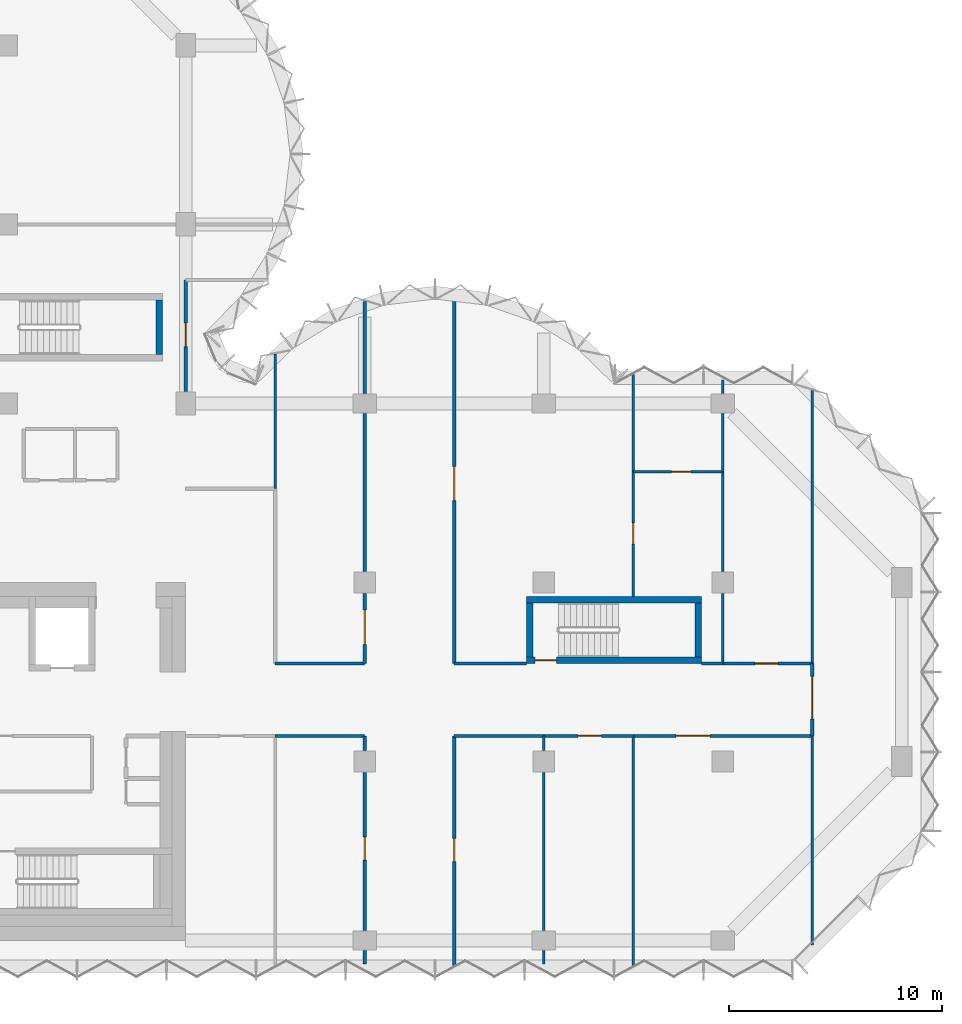
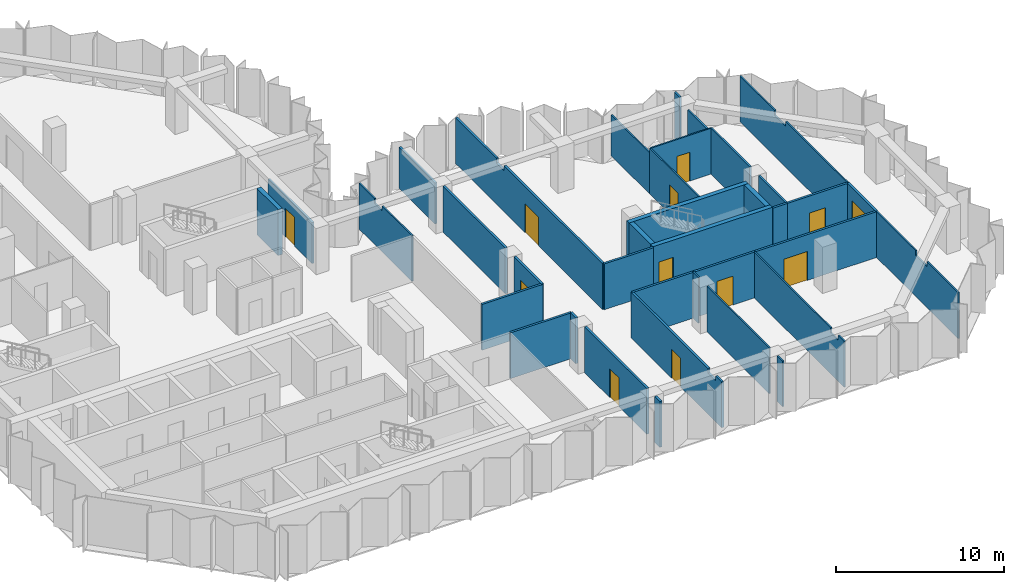
# One storey, part 7 of 10: 37 walls, 12 doors, 12 openings.
"""IFC4 building model written with IfcOpenShell, lengths in metres."""

from ifc_helpers import new_model, si_unit, direction, frame, frame_2d, origin, place, context, subcontext, project, spatial, polyline, rectangle, outline, extrude, material, layer, layer_set, type_object, element, fill, save


model = new_model("IFC4")

# Units and contexts
model_context = context("Model", 3, precision=1e-05, world=origin(), true_north=direction((0.0, 1.0)))
body_context = subcontext(model_context, "Body", "Model", "MODEL_VIEW")
ifc_project = project(units=[si_unit("LENGTHUNIT", "METRE"), si_unit("AREAUNIT", "SQUARE_METRE"), si_unit("VOLUMEUNIT", "CUBIC_METRE"), si_unit("PLANEANGLEUNIT", "RADIAN"), si_unit("MASSUNIT", "GRAM", prefix="KILO")], contexts=[model_context])

# Site, building, storey
site_placement = place(None, origin())
site = spatial("IfcSite", under=ifc_project, at=site_placement, CompositionType="ELEMENT")
building_placement = place(site_placement, origin())
building = spatial("IfcBuilding", under=site, at=building_placement, Name="Brevane Broadcast Tower", CompositionType="ELEMENT")
storey_placement = place(building_placement, frame((0.0, 0.0, 174.0)))
storey = spatial("IfcBuildingStorey", under=building, at=storey_placement, Name="L43", CompositionType="ELEMENT", Elevation=174.0)

# Wall
ifc_material_1 = material(Name="Concrete C60/75", Category="concrete")
ifc_layer_1 = layer(ifc_material_1, 0.300048828125)
ifc_layer_set_1 = layer_set([ifc_layer_1], Name="Core wall 300 mm C60/75")
wall_type_1 = type_object("IfcWallType", Name="Core wall 300 mm C60/75", PredefinedType="SHEAR", material=ifc_layer_set_1)
wall_1_placement = place(storey_placement, frame((23.949951171875, 27.5, 0.0), z_axis=(0.0, 0.0, 1.0), x_axis=(0.0, 1.0, 0.0)))
element("IfcWall", 1, at=wall_1_placement, inside=storey, type_object=wall_type_1, Name="L43 stair wall ST-3-E", PredefinedType="SHEAR", context=body_context, shape_type="SweptSolid", body=[
    extrude(rectangle(XDim=2.550048828125, YDim=0.300048828125, at=frame_2d((1.27490234375, 0.0))), origin(), (0.0, 0.0, 1.0), 3.35009765625),
])

# Wall, opening, door
wall_2_placement = place(storey_placement, frame((49.39990234375, 13.14990234375, 0.0), z_axis=(0.0, 0.0, 1.0), x_axis=(-1.0, 0.0, 0.0)))
wall_2 = element("IfcWall", 2, at=wall_2_placement, inside=storey, type_object=wall_type_1, Name="L43 stair wall ST-4-S", PredefinedType="SHEAR", context=body_context, shape_type="SweptSolid", body=[
    extrude(rectangle(XDim=8.199951171875, YDim=0.300048828125, at=frame_2d((4.10009765625, 0.0))), origin(), (0.0, 0.0, 1.0), 3.35009765625),
])
opening_1_placement = place(wall_2_placement, frame((6.800048828125, 0.0, 0.0)))
opening_1 = element("IfcOpeningElement", 3, at=opening_1_placement, cuts=wall_2, Name="Opening L43-K13", PredefinedType="OPENING", context=body_context, shape_type="SweptSolid", body=[
    extrude(rectangle(XDim=1.0, YDim=2.10009765625, at=frame_2d((0.5, 1.050048828125))), frame((0.0, 0.159912109375, 0.0), z_axis=(0.0, -1.0, 0.0), x_axis=(1.0, 0.0, 0.0)), (0.0, 0.0, 1.0), 0.320068359375),
])
ifc_material_2 = material(Name="Steel", Category="steel")
door_type_1 = type_object("IfcDoorType", Name="Stair door 1000 x 2100", OperationType="SINGLE_SWING_LEFT", PredefinedType="DOOR", material=ifc_material_2)
door_1_placement = place(opening_1_placement, origin())
door_1 = element("IfcDoor", 4, at=door_1_placement, inside=storey, type_object=door_type_1, Name="Door L43-K13", OperationType="SINGLE_SWING_LEFT", OverallHeight=2.10009765625, OverallWidth=1.0, PredefinedType="DOOR", context=body_context, shape_type="SweptSolid", body=[
    extrude(rectangle(XDim=1.0, YDim=2.10009765625, at=frame_2d((0.5, 1.050048828125))), frame((0.0, 0.02490234375, 0.0), z_axis=(0.0, -1.0, 0.0), x_axis=(1.0, 0.0, 0.0)), (0.0, 0.0, 1.0), 0.050048828125),
])
fill(opening_1, door_1)

# Walls
wall_3_placement = place(storey_placement, frame((41.199951171875, 16.0, 0.0), z_axis=(0.0, 0.0, 1.0), x_axis=(1.0, 0.0, 0.0)))
element("IfcWall", 5, at=wall_3_placement, inside=storey, type_object=wall_type_1, Name="L43 stair wall ST-4-N", PredefinedType="SHEAR", context=body_context, shape_type="SweptSolid", body=[
    extrude(rectangle(XDim=8.199951171875, YDim=0.300048828125, at=frame_2d((4.10009765625, 0.0))), origin(), (0.0, 0.0, 1.0), 3.35009765625),
])
for number, where, z_axis, x_axis, name in (
    (6, (41.35009765625, 13.300048828125, 0.0), (0.0, 0.0, 1.0), (0.0, 1.0, 0.0), "L43 stair wall ST-4-W"),
    (7, (49.25, 13.300048828125, 0.0), (0.0, 0.0, 1.0), (0.0, 1.0, 0.0), "L43 stair wall ST-4-E"),
):
    element("IfcWall", number, at=place(storey_placement, frame(where, z_axis=z_axis, x_axis=x_axis)), inside=storey, type_object=wall_type_1, Name=name, PredefinedType="SHEAR", context=body_context, shape_type="SweptSolid", body=[
        extrude(rectangle(XDim=2.550048828125, YDim=0.300048828125, at=frame_2d((1.27490234375, 0.0))), origin(), (0.0, 0.0, 1.0), 3.35009765625),
    ])
ifc_material_3 = material(Name="Gypsum board partition")
ifc_layer_2 = layer(ifc_material_3, 0.10009765625)
ifc_layer_set_2 = layer_set([ifc_layer_2], Name="PARTITION 100 STUD")
wall_type_2 = type_object("IfcWallType", Name="PARTITION 100 STUD", PredefinedType="PARTITIONING", material=ifc_layer_set_2)
wall_4_placement = place(storey_placement, frame((29.39990234375, 27.510986328125, 0.0), z_axis=(0.0, 0.0, 1.0), x_axis=(0.0, -1.0, 0.0)))
element("IfcWall", 8, at=wall_4_placement, inside=storey, type_object=wall_type_2, Name="Partition G12-004", PredefinedType="PARTITIONING", context=body_context, shape_type="SweptSolid", body=[
    extrude(outline(polyline([(0.0, 0.0), (6.31103515625, 0.0), (6.31103515625, 3.330078125), (2.760986328125, 3.330078125), (2.759033203125, 2.97998046875), (1.863037109375, 2.97998046875), (1.861083984375, 3.330078125), (0.236083984375, 3.330078125), (0.0, 3.330078125), (0.0, 0.0)])), frame((0.0, 0.050048828125, 0.0), z_axis=(0.0, -1.0, 0.0), x_axis=(1.0, 0.0, 0.0)), (0.0, 0.0, 1.0), 0.10009765625),
])
wall_5_placement = place(storey_placement, frame((54.60009765625, -0.199951171875, 0.0), z_axis=(0.0, 0.0, 1.0), x_axis=(0.0, 1.0, 0.0)))
element("IfcWall", 9, at=wall_5_placement, inside=storey, type_object=wall_type_2, Name="Partition G12-016", PredefinedType="PARTITIONING", context=body_context, shape_type="SweptSolid", body=[
    extrude(outline(polyline([(0.0, 0.0), (9.800048828125, 0.0), (9.800048828125, 3.330078125), (5.065673828125, 3.330078125), (5.063720703125, 2.97998046875), (3.736328125, 2.97998046875), (3.734375, 3.330078125), (0.0, 3.330078125), (0.0, 0.0)])), frame((0.0, 0.050048828125, 0.0), z_axis=(0.0, -1.0, 0.0), x_axis=(1.0, 0.0, 0.0)), (0.0, 0.0, 1.0), 0.10009765625),
])
wall_6_placement = place(storey_placement, frame((54.60009765625, 13.0, 0.0), z_axis=(0.0, 0.0, 1.0), x_axis=(0.0, 1.0, 0.0)))
element("IfcWall", 10, at=wall_6_placement, inside=storey, type_object=wall_type_2, Name="Partition G12-017", PredefinedType="PARTITIONING", context=body_context, shape_type="SweptSolid", body=[
    extrude(outline(polyline([(0.0, 0.0), (12.805419921875, 0.0), (12.805419921875, 3.330078125), (12.39990234375, 3.330078125), (8.665771484375, 3.330078125), (8.66357421875, 2.97998046875), (7.33642578125, 2.97998046875), (7.334228515625, 3.330078125), (0.0, 3.330078125), (0.0, 0.0)])), frame((0.0, 0.050048828125, 0.0), z_axis=(0.0, -1.0, 0.0), x_axis=(1.0, 0.0, 0.0)), (0.0, 0.0, 1.0), 0.10009765625),
])
wall_7_placement = place(storey_placement, frame((42.0, 9.60009765625, 0.0), z_axis=(0.0, 0.0, 1.0), x_axis=(0.0, -1.0, 0.0)))
element("IfcWall", 11, at=wall_7_placement, inside=storey, type_object=wall_type_2, Name="Partition G12-023", PredefinedType="PARTITIONING", context=body_context, shape_type="SweptSolid", body=[
    extrude(rectangle(XDim=0.68017578125, YDim=0.10009765625, at=frame_2d((0.340087890625, 0.0))), origin(), (0.0, 0.0, 1.0), 3.330078125),
])
wall_8_placement = place(storey_placement, frame((42.0, 7.8798828125, 0.0), z_axis=(0.0, 0.0, 1.0), x_axis=(0.0, -1.0, 0.0)))
element("IfcWall", 12, at=wall_8_placement, inside=storey, type_object=wall_type_2, Name="Partition G12-024", PredefinedType="PARTITIONING", context=body_context, shape_type="SweptSolid", body=[
    extrude(rectangle(XDim=7.409912109375, YDim=0.10009765625, at=frame_2d((3.705078125, 0.0))), origin(), (0.0, 0.0, 1.0), 3.330078125),
])
wall_9_placement = place(storey_placement, frame((42.0, -0.469970703125, 0.0), z_axis=(0.0, 0.0, 1.0), x_axis=(0.0, -1.0, 0.0)))
element("IfcWall", 13, at=wall_9_placement, inside=storey, type_object=wall_type_2, Name="Partition G12-025", PredefinedType="PARTITIONING", context=body_context, shape_type="SweptSolid", body=[
    extrude(rectangle(XDim=0.630126953125, YDim=0.10009765625, at=frame_2d((0.31494140625, 0.0))), origin(), (0.0, 0.0, 1.0), 3.330078125),
])
wall_10_placement = place(storey_placement, frame((46.199951171875, 9.60009765625, 0.0), z_axis=(0.0, 0.0, 1.0), x_axis=(0.0, -1.0, 0.0)))
element("IfcWall", 14, at=wall_10_placement, inside=storey, type_object=wall_type_2, Name="Partition G12-026", PredefinedType="PARTITIONING", context=body_context, shape_type="SweptSolid", body=[
    extrude(outline(polyline([(0.0, 0.0), (10.774169921875, 0.0), (10.77392578125, 3.330078125), (10.699951171875, 3.330078125), (10.050048828125, 3.330078125), (10.048095703125, 2.97998046875), (9.152099609375, 2.97998046875), (9.14990234375, 3.330078125), (0.0, 3.330078125), (0.0, 0.0)])), frame((0.0, 0.050048828125, 0.0), z_axis=(0.0, -1.0, 0.0), x_axis=(1.0, 0.0, 0.0)), (0.0, 0.0, 1.0), 0.10009765625),
])

# Wall, opening, door
wall_11_placement = place(storey_placement, frame((46.199951171875, 22.0, 0.0), z_axis=(0.0, 0.0, 1.0), x_axis=(0.0, -1.0, 0.0)))
wall_11 = element("IfcWall", 15, at=wall_11_placement, inside=storey, type_object=wall_type_2, Name="Partition G12-031", PredefinedType="PARTITIONING", context=body_context, shape_type="SweptSolid", body=[
    extrude(rectangle(XDim=5.85009765625, YDim=0.10009765625, at=frame_2d((2.925048828125, 0.0))), origin(), (0.0, 0.0, 1.0), 3.330078125),
])
opening_2_placement = place(wall_11_placement, frame((2.39990234375, 0.0, 0.0)))
opening_2 = element("IfcOpeningElement", 16, at=opening_2_placement, cuts=wall_11, Name="Opening D21-010", PredefinedType="OPENING", context=body_context, shape_type="SweptSolid", body=[
    extrude(rectangle(XDim=1.0, YDim=2.10009765625, at=frame_2d((0.5, 1.050048828125))), frame((0.0, 0.06005859375, 0.0), z_axis=(0.0, -1.0, 0.0), x_axis=(1.0, 0.0, 0.0)), (0.0, 0.0, 1.0), 0.1201171875),
])
ifc_material_4 = material(Name="Timber door leaf", Category="wood")
door_type_2 = type_object("IfcDoorType", Name="DOOR SINGLE 1000 INTERNAL", OperationType="SINGLE_SWING_LEFT", PredefinedType="DOOR", material=ifc_material_4)
door_2_placement = place(opening_2_placement, origin())
door_2 = element("IfcDoor", 17, at=door_2_placement, inside=storey, type_object=door_type_2, Name="Door D21-010", OperationType="SINGLE_SWING_LEFT", OverallHeight=2.10009765625, OverallWidth=1.0, PredefinedType="DOOR", context=body_context, shape_type="SweptSolid", body=[
    extrude(rectangle(XDim=1.0, YDim=2.10009765625, at=frame_2d((0.5, 1.050048828125))), frame((0.0, 0.02490234375, 0.0), z_axis=(0.0, -1.0, 0.0), x_axis=(1.0, 0.0, 0.0)), (0.0, 0.0, 1.0), 0.050048828125),
])
fill(opening_2, door_2)

# Wall
wall_12_placement = place(storey_placement, frame((46.199951171875, 26.56494140625, 0.0), z_axis=(0.0, 0.0, 1.0), x_axis=(0.0, -1.0, 0.0)))
element("IfcWall", 18, at=wall_12_placement, inside=storey, type_object=wall_type_2, Name="Partition G12-032", PredefinedType="PARTITIONING", context=body_context, shape_type="SweptSolid", body=[
    extrude(rectangle(XDim=4.56494140625, YDim=0.10009765625, at=frame_2d((2.282470703125, 0.0))), origin(), (0.0, 0.0, 1.0), 2.97998046875),
])

# Wall, opening, door
wall_13_placement = place(storey_placement, frame((46.199951171875, 22.0, 0.0), z_axis=(0.0, 0.0, 1.0), x_axis=(1.0, 0.0, 0.0)))
wall_13 = element("IfcWall", 19, at=wall_13_placement, inside=storey, type_object=wall_type_2, Name="Partition G12-033", PredefinedType="PARTITIONING", context=body_context, shape_type="SweptSolid", body=[
    extrude(rectangle(XDim=4.199951171875, YDim=0.10009765625, at=frame_2d((2.10009765625, 0.0))), origin(), (0.0, 0.0, 1.0), 3.330078125),
])
opening_3_placement = place(wall_13_placement, frame((1.800048828125, 0.0, 0.0)))
opening_3 = element("IfcOpeningElement", 20, at=opening_3_placement, cuts=wall_13, Name="Opening D21-011", PredefinedType="OPENING", context=body_context, shape_type="SweptSolid", body=[
    extrude(rectangle(XDim=0.89990234375, YDim=2.10009765625, at=frame_2d((0.449951171875, 1.050048828125))), frame((0.0, 0.06005859375, 0.0), z_axis=(0.0, -1.0, 0.0), x_axis=(1.0, 0.0, 0.0)), (0.0, 0.0, 1.0), 0.1201171875),
])
door_type_3 = type_object("IfcDoorType", Name="DOOR SINGLE 900 INTERNAL", OperationType="SINGLE_SWING_LEFT", PredefinedType="DOOR", material=ifc_material_4)
door_3_placement = place(opening_3_placement, origin())
door_3 = element("IfcDoor", 21, at=door_3_placement, inside=storey, type_object=door_type_3, Name="Door D21-011", OperationType="SINGLE_SWING_LEFT", OverallHeight=2.10009765625, OverallWidth=0.89990234375, PredefinedType="DOOR", context=body_context, shape_type="SweptSolid", body=[
    extrude(rectangle(XDim=0.89990234375, YDim=2.10009765625, at=frame_2d((0.449951171875, 1.050048828125))), frame((0.0, 0.02490234375, 0.0), z_axis=(0.0, -1.0, 0.0), x_axis=(1.0, 0.0, 0.0)), (0.0, 0.0, 1.0), 0.050048828125),
])
fill(opening_3, door_3)

# Walls
ifc_layer_3 = layer(ifc_material_3, 0.125)
ifc_layer_set_3 = layer_set([ifc_layer_3], Name="PARTITION 125 ACOUSTIC")
wall_type_3 = type_object("IfcWallType", Name="PARTITION 125 ACOUSTIC", PredefinedType="PARTITIONING", material=ifc_layer_set_3)
wall_14_placement = place(storey_placement, frame((50.39990234375, 22.0, 0.0), z_axis=(0.0, 0.0, 1.0), x_axis=(0.0, -1.0, 0.0)))
element("IfcWall", 22, at=wall_14_placement, inside=storey, type_object=wall_type_3, Name="Partition G12-034", PredefinedType="PARTITIONING", context=body_context, shape_type="SweptSolid", body=[
    extrude(rectangle(XDim=4.679931640625, YDim=0.125, at=frame_2d((2.33984375, 0.0))), origin(), (0.0, 0.0, 1.0), 3.330078125),
])
wall_15_placement = place(storey_placement, frame((50.39990234375, 16.280029296875, 0.0), z_axis=(0.0, 0.0, 1.0), x_axis=(0.0, -1.0, 0.0)))
element("IfcWall", 23, at=wall_15_placement, inside=storey, type_object=wall_type_3, Name="Partition G12-035", PredefinedType="PARTITIONING", context=body_context, shape_type="SweptSolid", body=[
    extrude(rectangle(XDim=3.280029296875, YDim=0.125, at=frame_2d((1.64013671875, 0.0))), origin(), (0.0, 0.0, 1.0), 3.330078125),
])
wall_16_placement = place(storey_placement, frame((50.39990234375, 26.300048828125, 0.0), z_axis=(0.0, 0.0, 1.0), x_axis=(0.0, -1.0, 0.0)))
element("IfcWall", 24, at=wall_16_placement, inside=storey, type_object=wall_type_3, Name="Partition G12-036", PredefinedType="PARTITIONING", context=body_context, shape_type="SweptSolid", body=[
    extrude(rectangle(XDim=0.630126953125, YDim=0.125, at=frame_2d((0.31494140625, 0.0))), origin(), (0.0, 0.0, 1.0), 3.330078125),
])
wall_17_placement = place(storey_placement, frame((50.39990234375, 24.72998046875, 0.0), z_axis=(0.0, 0.0, 1.0), x_axis=(0.0, -1.0, 0.0)))
element("IfcWall", 25, at=wall_17_placement, inside=storey, type_object=wall_type_3, Name="Partition G12-037", PredefinedType="PARTITIONING", context=body_context, shape_type="SweptSolid", body=[
    extrude(rectangle(XDim=2.72998046875, YDim=0.125, at=frame_2d((1.364990234375, 0.0))), origin(), (0.0, 0.0, 1.0), 2.97998046875),
])

# Wall, opening, door
ifc_layer_4 = layer(ifc_material_3, 0.14990234375)
ifc_layer_set_4 = layer_set([ifc_layer_4], Name="PARTITION 150 EI 60")
wall_type_4 = type_object("IfcWallType", Name="PARTITION 150 EI 60", PredefinedType="PARTITIONING", material=ifc_layer_set_4)
wall_18_placement = place(storey_placement, frame((25.199951171875, 31.0, 0.0), z_axis=(0.0, 0.0, 1.0), x_axis=(0.0, -1.0, 0.0)))
wall_18 = element("IfcWall", 26, at=wall_18_placement, inside=storey, type_object=wall_type_4, Name="Partition G12-005", PredefinedType="PARTITIONING", context=body_context, shape_type="SweptSolid", body=[
    extrude(outline(polyline([(0.0, 0.0), (5.22998046875, 0.0), (5.22998046875, 2.97998046875), (0.0, 2.97998046875), (0.0, 0.0)])), frame((0.0, 0.074951171875, 0.0), z_axis=(0.0, -1.0, 0.0), x_axis=(1.0, 0.0, 0.0)), (0.0, 0.0, 1.0), 0.14990234375),
])
opening_4_placement = place(wall_18_placement, frame((2.030029296875, 0.0, 0.0)))
opening_4 = element("IfcOpeningElement", 27, at=opening_4_placement, cuts=wall_18, Name="Opening D21-001", PredefinedType="OPENING", context=body_context, shape_type="SweptSolid", body=[
    extrude(rectangle(XDim=1.10009765625, YDim=2.10009765625, at=frame_2d((0.550048828125, 1.050048828125))), frame((0.0, 0.0849609375, 0.0), z_axis=(0.0, -1.0, 0.0), x_axis=(1.0, 0.0, 0.0)), (0.0, 0.0, 1.0), 0.169921875),
])
ifc_material_5 = material(Name="Fire-rated timber door leaf", Category="wood")
door_type_4 = type_object("IfcDoorType", Name="DOOR SINGLE 1100 FD30S", OperationType="SINGLE_SWING_LEFT", PredefinedType="DOOR", material=ifc_material_5)
door_4_placement = place(opening_4_placement, origin())
door_4 = element("IfcDoor", 28, at=door_4_placement, inside=storey, type_object=door_type_4, Name="Door D21-001", OperationType="SINGLE_SWING_RIGHT", OverallHeight=2.10009765625, OverallWidth=1.10009765625, PredefinedType="DOOR", context=body_context, shape_type="SweptSolid", body=[
    extrude(rectangle(XDim=1.10009765625, YDim=2.10009765625, at=frame_2d((0.550048828125, 1.050048828125))), frame((0.0, 0.02490234375, 0.0), z_axis=(0.0, -1.0, 0.0), x_axis=(1.0, 0.0, 0.0)), (0.0, 0.0, 1.0), 0.050048828125),
])
fill(opening_4, door_4)

wall_19_placement = place(storey_placement, frame((54.60009765625, 13.0, 0.0), z_axis=(0.0, 0.0, 1.0), x_axis=(0.0, -1.0, 0.0)))
wall_19 = element("IfcWall", 29, at=wall_19_placement, inside=storey, type_object=wall_type_4, Name="Partition G12-007", PredefinedType="PARTITIONING", context=body_context, shape_type="SweptSolid", body=[
    extrude(rectangle(XDim=3.39990234375, YDim=0.14990234375, at=frame_2d((1.699951171875, 0.0))), origin(), (0.0, 0.0, 1.0), 3.330078125),
])
opening_5_placement = place(wall_19_placement, frame((0.60009765625, 0.0, 0.0)))
opening_5 = element("IfcOpeningElement", 30, at=opening_5_placement, cuts=wall_19, Name="Opening D21-002", PredefinedType="OPENING", context=body_context, shape_type="SweptSolid", body=[
    extrude(rectangle(XDim=2.0, YDim=2.39990234375, at=frame_2d((1.0, 1.199951171875))), frame((0.0, 0.0849609375, 0.0), z_axis=(0.0, -1.0, 0.0), x_axis=(1.0, 0.0, 0.0)), (0.0, 0.0, 1.0), 0.169921875),
])
door_type_5 = type_object("IfcDoorType", Name="DOOR DOUBLE 2000 FD30S", OperationType="DOUBLE_DOOR_SINGLE_SWING", PredefinedType="DOOR", material=ifc_material_5)
door_5_placement = place(opening_5_placement, origin())
door_5 = element("IfcDoor", 31, at=door_5_placement, inside=storey, type_object=door_type_5, Name="Door D21-002", OperationType="DOUBLE_DOOR_SINGLE_SWING", OverallHeight=2.39990234375, OverallWidth=2.0, PredefinedType="DOOR", context=body_context, shape_type="SweptSolid", body=[
    extrude(rectangle(XDim=2.0, YDim=2.39990234375, at=frame_2d((1.0, 1.199951171875))), frame((0.0, 0.02490234375, 0.0), z_axis=(0.0, -1.0, 0.0), x_axis=(1.0, 0.0, 0.0)), (0.0, 0.0, 1.0), 0.050048828125),
])
fill(opening_5, door_5)

# Walls
wall_20_placement = place(storey_placement, frame((33.60009765625, 9.60009765625, 0.0), z_axis=(0.0, 0.0, 1.0), x_axis=(-1.0, 0.0, 0.0)))
element("IfcWall", 32, at=wall_20_placement, inside=storey, type_object=wall_type_4, Name="Partition G12-008", PredefinedType="PARTITIONING", context=body_context, shape_type="SweptSolid", body=[
    extrude(rectangle(XDim=4.2001953125, YDim=0.14990234375, at=frame_2d((2.10009765625, 0.0))), origin(), (0.0, 0.0, 1.0), 3.330078125),
])
wall_21_placement = place(storey_placement, frame((42.0, 9.60009765625, 0.0), z_axis=(0.0, 0.0, 1.0), x_axis=(-1.0, 0.0, 0.0)))
element("IfcWall", 33, at=wall_21_placement, inside=storey, type_object=wall_type_4, Name="Partition G12-009", PredefinedType="PARTITIONING", context=body_context, shape_type="SweptSolid", body=[
    extrude(rectangle(XDim=4.199951171875, YDim=0.14990234375, at=frame_2d((2.10009765625, 0.0))), origin(), (0.0, 0.0, 1.0), 3.330078125),
])

# Wall, opening, door
wall_22_placement = place(storey_placement, frame((46.199951171875, 9.60009765625, 0.0), z_axis=(0.0, 0.0, 1.0), x_axis=(-1.0, 0.0, 0.0)))
wall_22 = element("IfcWall", 34, at=wall_22_placement, inside=storey, type_object=wall_type_4, Name="Partition G12-010", PredefinedType="PARTITIONING", context=body_context, shape_type="SweptSolid", body=[
    extrude(rectangle(XDim=4.199951171875, YDim=0.14990234375, at=frame_2d((2.10009765625, 0.0))), origin(), (0.0, 0.0, 1.0), 3.330078125),
])
opening_6_placement = place(wall_22_placement, frame((1.5, 0.0, 0.0)))
opening_6 = element("IfcOpeningElement", 35, at=opening_6_placement, cuts=wall_22, Name="Opening D21-006", PredefinedType="OPENING", context=body_context, shape_type="SweptSolid", body=[
    extrude(rectangle(XDim=1.10009765625, YDim=2.10009765625, at=frame_2d((0.550048828125, 1.050048828125))), frame((0.0, 0.0849609375, 0.0), z_axis=(0.0, -1.0, 0.0), x_axis=(1.0, 0.0, 0.0)), (0.0, 0.0, 1.0), 0.169921875),
])
door_6_placement = place(opening_6_placement, origin())
door_6 = element("IfcDoor", 36, at=door_6_placement, inside=storey, type_object=door_type_4, Name="Door D21-006", OperationType="SINGLE_SWING_LEFT", OverallHeight=2.10009765625, OverallWidth=1.10009765625, PredefinedType="DOOR", context=body_context, shape_type="SweptSolid", body=[
    extrude(rectangle(XDim=1.10009765625, YDim=2.10009765625, at=frame_2d((0.550048828125, 1.050048828125))), frame((0.0, 0.02490234375, 0.0), z_axis=(0.0, -1.0, 0.0), x_axis=(1.0, 0.0, 0.0)), (0.0, 0.0, 1.0), 0.050048828125),
])
fill(opening_6, door_6)

wall_23_placement = place(storey_placement, frame((54.60009765625, 9.60009765625, 0.0), z_axis=(0.0, 0.0, 1.0), x_axis=(-1.0, 0.0, 0.0)))
wall_23 = element("IfcWall", 37, at=wall_23_placement, inside=storey, type_object=wall_type_4, Name="Partition G12-011", PredefinedType="PARTITIONING", context=body_context, shape_type="SweptSolid", body=[
    extrude(rectangle(XDim=8.400146484375, YDim=0.14990234375, at=frame_2d((4.2001953125, 0.0))), origin(), (0.0, 0.0, 1.0), 3.330078125),
])
opening_7_placement = place(wall_23_placement, frame((4.800048828125, 0.0, 0.0)))
opening_7 = element("IfcOpeningElement", 38, at=opening_7_placement, cuts=wall_23, Name="Opening D21-007", PredefinedType="OPENING", context=body_context, shape_type="SweptSolid", body=[
    extrude(rectangle(XDim=1.60009765625, YDim=2.10009765625, at=frame_2d((0.800048828125, 1.050048828125))), frame((0.0, 0.0849609375, 0.0), z_axis=(0.0, -1.0, 0.0), x_axis=(1.0, 0.0, 0.0)), (0.0, 0.0, 1.0), 0.169921875),
])
door_type_6 = type_object("IfcDoorType", Name="DOOR DOUBLE 1600 FD30S", OperationType="DOUBLE_DOOR_SINGLE_SWING", PredefinedType="DOOR", material=ifc_material_5)
door_7_placement = place(opening_7_placement, origin())
door_7 = element("IfcDoor", 39, at=door_7_placement, inside=storey, type_object=door_type_6, Name="Door D21-007", OperationType="DOUBLE_DOOR_SINGLE_SWING", OverallHeight=2.10009765625, OverallWidth=1.60009765625, PredefinedType="DOOR", context=body_context, shape_type="SweptSolid", body=[
    extrude(rectangle(XDim=1.60009765625, YDim=2.10009765625, at=frame_2d((0.800048828125, 1.050048828125))), frame((0.0, 0.02490234375, 0.0), z_axis=(0.0, -1.0, 0.0), x_axis=(1.0, 0.0, 0.0)), (0.0, 0.0, 1.0), 0.050048828125),
])
fill(opening_7, door_7)

# Walls
wall_24_placement = place(storey_placement, frame((29.39990234375, 13.0, 0.0), z_axis=(0.0, 0.0, 1.0), x_axis=(1.0, 0.0, 0.0)))
element("IfcWall", 40, at=wall_24_placement, inside=storey, type_object=wall_type_4, Name="Partition G12-012", PredefinedType="PARTITIONING", context=body_context, shape_type="SweptSolid", body=[
    extrude(rectangle(XDim=4.2001953125, YDim=0.14990234375, at=frame_2d((2.10009765625, 0.0))), origin(), (0.0, 0.0, 1.0), 3.330078125),
])
wall_25_placement = place(storey_placement, frame((37.800048828125, 13.0, 0.0), z_axis=(0.0, 0.0, 1.0), x_axis=(1.0, 0.0, 0.0)))
element("IfcWall", 41, at=wall_25_placement, inside=storey, type_object=wall_type_4, Name="Partition G12-013", PredefinedType="PARTITIONING", context=body_context, shape_type="SweptSolid", body=[
    extrude(rectangle(XDim=3.39990234375, YDim=0.14990234375, at=frame_2d((1.699951171875, 0.0))), origin(), (0.0, 0.0, 1.0), 3.330078125),
])
wall_26_placement = place(storey_placement, frame((49.39990234375, 13.0, 0.0), z_axis=(0.0, 0.0, 1.0), x_axis=(1.0, 0.0, 0.0)))
element("IfcWall", 42, at=wall_26_placement, inside=storey, type_object=wall_type_4, Name="Partition G12-014", PredefinedType="PARTITIONING", context=body_context, shape_type="SweptSolid", body=[
    extrude(rectangle(XDim=1.0, YDim=0.14990234375, at=frame_2d((0.5, 0.0))), origin(), (0.0, 0.0, 1.0), 3.330078125),
])

# Wall, opening, door
wall_27_placement = place(storey_placement, frame((50.39990234375, 13.0, 0.0), z_axis=(0.0, 0.0, 1.0), x_axis=(1.0, 0.0, 0.0)))
wall_27 = element("IfcWall", 43, at=wall_27_placement, inside=storey, type_object=wall_type_4, Name="Partition G12-015", PredefinedType="PARTITIONING", context=body_context, shape_type="SweptSolid", body=[
    extrude(rectangle(XDim=4.2001953125, YDim=0.14990234375, at=frame_2d((2.10009765625, 0.0))), origin(), (0.0, 0.0, 1.0), 3.330078125),
])
opening_8_placement = place(wall_27_placement, frame((1.5, 0.0, 0.0)))
opening_8 = element("IfcOpeningElement", 44, at=opening_8_placement, cuts=wall_27, Name="Opening D21-012", PredefinedType="OPENING", context=body_context, shape_type="SweptSolid", body=[
    extrude(rectangle(XDim=1.10009765625, YDim=2.10009765625, at=frame_2d((0.550048828125, 1.050048828125))), frame((0.0, 0.0849609375, 0.0), z_axis=(0.0, -1.0, 0.0), x_axis=(1.0, 0.0, 0.0)), (0.0, 0.0, 1.0), 0.169921875),
])
door_8_placement = place(opening_8_placement, origin())
door_8 = element("IfcDoor", 45, at=door_8_placement, inside=storey, type_object=door_type_4, Name="Door D21-012", OperationType="SINGLE_SWING_LEFT", OverallHeight=2.10009765625, OverallWidth=1.10009765625, PredefinedType="DOOR", context=body_context, shape_type="SweptSolid", body=[
    extrude(rectangle(XDim=1.10009765625, YDim=2.10009765625, at=frame_2d((0.550048828125, 1.050048828125))), frame((0.0, 0.02490234375, 0.0), z_axis=(0.0, -1.0, 0.0), x_axis=(1.0, 0.0, 0.0)), (0.0, 0.0, 1.0), 0.050048828125),
])
fill(opening_8, door_8)

# Wall
wall_28_placement = place(storey_placement, frame((33.60009765625, -1.10009765625, 0.0), z_axis=(0.0, 0.0, 1.0), x_axis=(0.0, 1.0, 0.0)))
element("IfcWall", 46, at=wall_28_placement, inside=storey, type_object=wall_type_4, Name="Partition G12-018", PredefinedType="PARTITIONING", context=body_context, shape_type="SweptSolid", body=[
    extrude(rectangle(XDim=0.630126953125, YDim=0.14990234375, at=frame_2d((0.31494140625, 0.0))), origin(), (0.0, 0.0, 1.0), 3.330078125),
])

# Wall, opening, door
wall_29_placement = place(storey_placement, frame((33.60009765625, 0.469970703125, 0.0), z_axis=(0.0, 0.0, 1.0), x_axis=(0.0, 1.0, 0.0)))
wall_29 = element("IfcWall", 47, at=wall_29_placement, inside=storey, type_object=wall_type_4, Name="Partition G12-019", PredefinedType="PARTITIONING", context=body_context, shape_type="SweptSolid", body=[
    extrude(rectangle(XDim=7.409912109375, YDim=0.14990234375, at=frame_2d((3.705078125, 0.0))), origin(), (0.0, 0.0, 1.0), 3.330078125),
])
opening_9_placement = place(wall_29_placement, frame((3.300048828125, 0.0, 0.0)))
opening_9 = element("IfcOpeningElement", 48, at=opening_9_placement, cuts=wall_29, Name="Opening D21-004", PredefinedType="OPENING", context=body_context, shape_type="SweptSolid", body=[
    extrude(rectangle(XDim=1.10009765625, YDim=2.10009765625, at=frame_2d((0.550048828125, 1.050048828125))), frame((0.0, 0.0849609375, 0.0), z_axis=(0.0, -1.0, 0.0), x_axis=(1.0, 0.0, 0.0)), (0.0, 0.0, 1.0), 0.169921875),
])
door_9_placement = place(opening_9_placement, origin())
door_9 = element("IfcDoor", 49, at=door_9_placement, inside=storey, type_object=door_type_4, Name="Door D21-004", OperationType="SINGLE_SWING_LEFT", OverallHeight=2.10009765625, OverallWidth=1.10009765625, PredefinedType="DOOR", context=body_context, shape_type="SweptSolid", body=[
    extrude(rectangle(XDim=1.10009765625, YDim=2.10009765625, at=frame_2d((0.550048828125, 1.050048828125))), frame((0.0, 0.02490234375, 0.0), z_axis=(0.0, -1.0, 0.0), x_axis=(1.0, 0.0, 0.0)), (0.0, 0.0, 1.0), 0.050048828125),
])
fill(opening_9, door_9)

# Wall
wall_30_placement = place(storey_placement, frame((33.60009765625, 8.919921875, 0.0), z_axis=(0.0, 0.0, 1.0), x_axis=(0.0, 1.0, 0.0)))
element("IfcWall", 50, at=wall_30_placement, inside=storey, type_object=wall_type_4, Name="Partition G12-020", PredefinedType="PARTITIONING", context=body_context, shape_type="SweptSolid", body=[
    extrude(rectangle(XDim=0.68017578125, YDim=0.14990234375, at=frame_2d((0.340087890625, 0.0))), origin(), (0.0, 0.0, 1.0), 3.330078125),
])

# Wall, opening, door
wall_31_placement = place(storey_placement, frame((37.800048828125, 9.60009765625, 0.0), z_axis=(0.0, 0.0, 1.0), x_axis=(0.0, -1.0, 0.0)))
wall_31 = element("IfcWall", 51, at=wall_31_placement, inside=storey, type_object=wall_type_4, Name="Partition G12-021", PredefinedType="PARTITIONING", context=body_context, shape_type="SweptSolid", body=[
    extrude(outline(polyline([(0.0, 0.0), (10.774169921875, 0.0), (10.77392578125, 3.330078125), (10.699951171875, 3.330078125), (10.050048828125, 3.330078125), (10.048095703125, 2.97998046875), (9.152099609375, 2.97998046875), (9.14990234375, 3.330078125), (0.0, 3.330078125), (0.0, 0.0)])), frame((0.0, 0.074951171875, 0.0), z_axis=(0.0, -1.0, 0.0), x_axis=(1.0, 0.0, 0.0)), (0.0, 0.0, 1.0), 0.14990234375),
])
opening_10_placement = place(wall_31_placement, frame((4.800048828125, 0.0, 0.0)))
opening_10 = element("IfcOpeningElement", 52, at=opening_10_placement, cuts=wall_31, Name="Opening D21-005", PredefinedType="OPENING", context=body_context, shape_type="SweptSolid", body=[
    extrude(rectangle(XDim=1.10009765625, YDim=2.10009765625, at=frame_2d((0.550048828125, 1.050048828125))), frame((0.0, 0.0849609375, 0.0), z_axis=(0.0, -1.0, 0.0), x_axis=(1.0, 0.0, 0.0)), (0.0, 0.0, 1.0), 0.169921875),
])
door_10_placement = place(opening_10_placement, origin())
door_10 = element("IfcDoor", 53, at=door_10_placement, inside=storey, type_object=door_type_4, Name="Door D21-005", OperationType="SINGLE_SWING_LEFT", OverallHeight=2.10009765625, OverallWidth=1.10009765625, PredefinedType="DOOR", context=body_context, shape_type="SweptSolid", body=[
    extrude(rectangle(XDim=1.10009765625, YDim=2.10009765625, at=frame_2d((0.550048828125, 1.050048828125))), frame((0.0, 0.02490234375, 0.0), z_axis=(0.0, -1.0, 0.0), x_axis=(1.0, 0.0, 0.0)), (0.0, 0.0, 1.0), 0.050048828125),
])
fill(opening_10, door_10)

wall_32_placement = place(storey_placement, frame((33.60009765625, 13.0, 0.0), z_axis=(0.0, 0.0, 1.0), x_axis=(0.0, 1.0, 0.0)))
wall_32 = element("IfcWall", 54, at=wall_32_placement, inside=storey, type_object=wall_type_4, Name="Partition G12-027", PredefinedType="PARTITIONING", context=body_context, shape_type="SweptSolid", body=[
    extrude(rectangle(XDim=3.280029296875, YDim=0.14990234375, at=frame_2d((1.64013671875, 0.0))), origin(), (0.0, 0.0, 1.0), 3.330078125),
])
opening_11_placement = place(wall_32_placement, frame((0.89990234375, 0.0, 0.0)))
opening_11 = element("IfcOpeningElement", 55, at=opening_11_placement, cuts=wall_32, Name="Opening D21-008", PredefinedType="OPENING", context=body_context, shape_type="SweptSolid", body=[
    extrude(rectangle(XDim=1.60009765625, YDim=2.10009765625, at=frame_2d((0.800048828125, 1.050048828125))), frame((0.0, 0.0849609375, 0.0), z_axis=(0.0, -1.0, 0.0), x_axis=(1.0, 0.0, 0.0)), (0.0, 0.0, 1.0), 0.169921875),
])
door_11_placement = place(opening_11_placement, origin())
door_11 = element("IfcDoor", 56, at=door_11_placement, inside=storey, type_object=door_type_6, Name="Door D21-008", OperationType="DOUBLE_DOOR_SINGLE_SWING", OverallHeight=2.10009765625, OverallWidth=1.60009765625, PredefinedType="DOOR", context=body_context, shape_type="SweptSolid", body=[
    extrude(rectangle(XDim=1.60009765625, YDim=2.10009765625, at=frame_2d((0.800048828125, 1.050048828125))), frame((0.0, 0.02490234375, 0.0), z_axis=(0.0, -1.0, 0.0), x_axis=(1.0, 0.0, 0.0)), (0.0, 0.0, 1.0), 0.050048828125),
])
fill(opening_11, door_11)

# Walls
wall_33_placement = place(storey_placement, frame((33.60009765625, 17.320068359375, 0.0), z_axis=(0.0, 0.0, 1.0), x_axis=(0.0, 1.0, 0.0)))
element("IfcWall", 57, at=wall_33_placement, inside=storey, type_object=wall_type_4, Name="Partition G12-028", PredefinedType="PARTITIONING", context=body_context, shape_type="SweptSolid", body=[
    extrude(rectangle(XDim=7.409912109375, YDim=0.14990234375, at=frame_2d((3.705078125, 0.0))), origin(), (0.0, 0.0, 1.0), 3.330078125),
])
wall_34_placement = place(storey_placement, frame((33.60009765625, 25.669921875, 0.0), z_axis=(0.0, 0.0, 1.0), x_axis=(0.0, 1.0, 0.0)))
element("IfcWall", 58, at=wall_34_placement, inside=storey, type_object=wall_type_4, Name="Partition G12-029", PredefinedType="PARTITIONING", context=body_context, shape_type="SweptSolid", body=[
    extrude(rectangle(XDim=4.318359375, YDim=0.14990234375, at=frame_2d((2.1591796875, 0.0))), origin(), (0.0, 0.0, 1.0), 2.97998046875),
])

# Wall, opening, door
wall_35_placement = place(storey_placement, frame((37.800048828125, 30.52587890625, 0.0), z_axis=(0.0, 0.0, 1.0), x_axis=(0.0, -1.0, 0.0)))
wall_35 = element("IfcWall", 59, at=wall_35_placement, inside=storey, type_object=wall_type_4, Name="Partition G12-030", PredefinedType="PARTITIONING", context=body_context, shape_type="SweptSolid", body=[
    extrude(outline(polyline([(0.0, 0.0), (17.52587890625, 0.0), (17.52587890625, 3.330078125), (5.77587890625, 3.330078125), (5.77392578125, 2.97998046875), (4.8779296875, 2.97998046875), (4.8759765625, 3.330078125), (0.283203125, 3.330078125), (0.0, 3.330078125), (0.0, 0.0)])), frame((0.0, 0.074951171875, 0.0), z_axis=(0.0, -1.0, 0.0), x_axis=(1.0, 0.0, 0.0)), (0.0, 0.0, 1.0), 0.14990234375),
])
opening_12_placement = place(wall_35_placement, frame((8.283203125, 0.0, 0.0)))
opening_12 = element("IfcOpeningElement", 60, at=opening_12_placement, cuts=wall_35, Name="Opening D21-009", PredefinedType="OPENING", context=body_context, shape_type="SweptSolid", body=[
    extrude(rectangle(XDim=1.60009765625, YDim=2.10009765625, at=frame_2d((0.800048828125, 1.050048828125))), frame((0.0, 0.0849609375, 0.0), z_axis=(0.0, -1.0, 0.0), x_axis=(1.0, 0.0, 0.0)), (0.0, 0.0, 1.0), 0.169921875),
])
door_12_placement = place(opening_12_placement, origin())
door_12 = element("IfcDoor", 61, at=door_12_placement, inside=storey, type_object=door_type_6, Name="Door D21-009", OperationType="DOUBLE_DOOR_SINGLE_SWING", OverallHeight=2.10009765625, OverallWidth=1.60009765625, PredefinedType="DOOR", context=body_context, shape_type="SweptSolid", body=[
    extrude(rectangle(XDim=1.60009765625, YDim=2.10009765625, at=frame_2d((0.800048828125, 1.050048828125))), frame((0.0, 0.02490234375, 0.0), z_axis=(0.0, -1.0, 0.0), x_axis=(1.0, 0.0, 0.0)), (0.0, 0.0, 1.0), 0.050048828125),
])
fill(opening_12, door_12)

save(model, "model.ifc")
